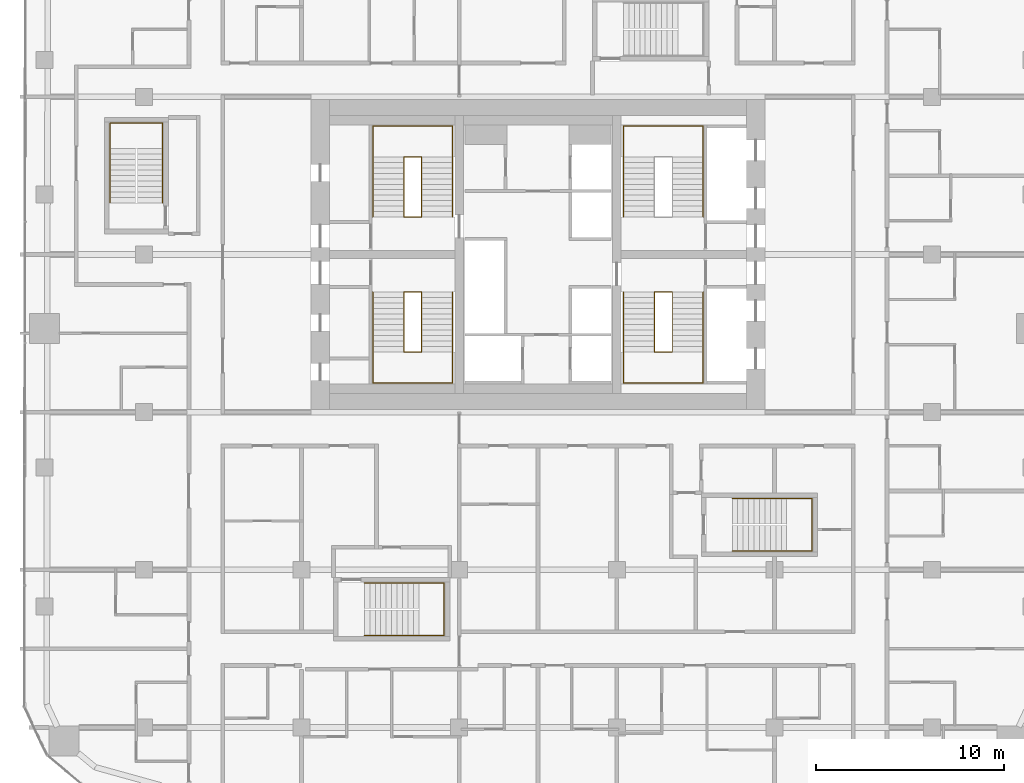
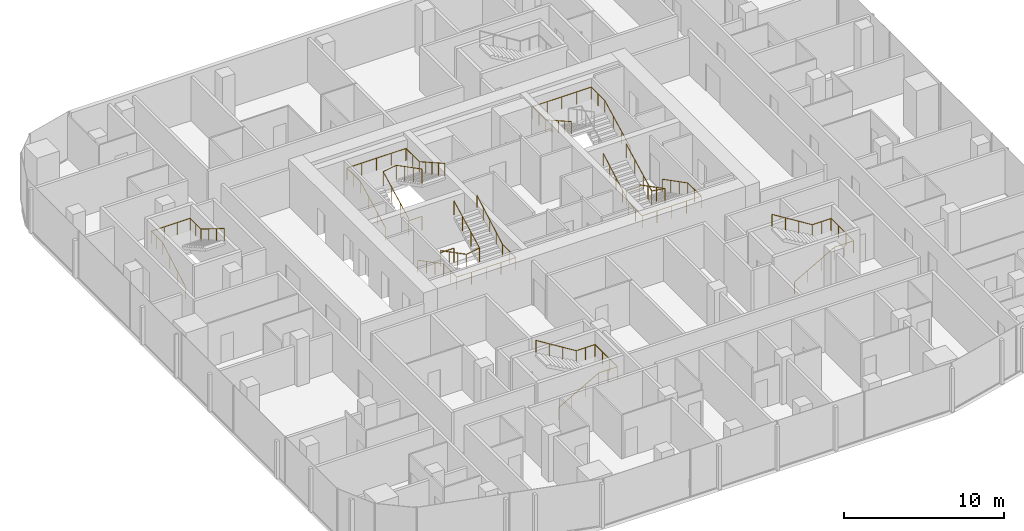
# One storey, part 22 of 23: 10 railings.
"""IFC4 building model written with IfcOpenShell, lengths in metres."""

from ifc_helpers import new_model, si_unit, direction, frame, origin, origin_2d, place, context, subcontext, project, spatial, circle, extrude, material, type_object, element, save


model = new_model("IFC4")

# Units and contexts
model_context = context("Model", 3, precision=1e-05, world=origin(), true_north=direction((0.0, 1.0)))
body_context = subcontext(model_context, "Body", "Model", "MODEL_VIEW")
ifc_project = project(units=[si_unit("LENGTHUNIT", "METRE"), si_unit("AREAUNIT", "SQUARE_METRE"), si_unit("VOLUMEUNIT", "CUBIC_METRE"), si_unit("PLANEANGLEUNIT", "RADIAN"), si_unit("MASSUNIT", "GRAM", prefix="KILO")], contexts=[model_context])

# Site, building, storey
site_placement = place(None, origin())
site = spatial("IfcSite", under=ifc_project, at=site_placement, CompositionType="ELEMENT")
building_placement = place(site_placement, origin())
building = spatial("IfcBuilding", under=site, at=building_placement, Name="Marenta Gate Hotel Tower", CompositionType="ELEMENT")
storey_placement = place(building_placement, frame((0.0, 0.0, 126.5)))
storey = spatial("IfcBuildingStorey", under=building, at=storey_placement, Name="L28", CompositionType="ELEMENT", Elevation=126.5)

# Railings
ifc_material_1 = material(Name="Stainless steel", Category="steel")
railing_type_1 = type_object("IfcRailingType", Name="Core stair handrail 950", PredefinedType="HANDRAIL", material=ifc_material_1)
railing_1_placement = place(storey_placement, frame((-8.800048828125, 6.39990234375, 0.14990234375)))
element("IfcRailing", 1, at=railing_1_placement, inside=storey, type_object=railing_type_1, Name="HR-950 L28-KR-ST1-1", PredefinedType="HANDRAIL", context=body_context, shape_type="SweptSolid", body=[
    extrude(circle(Radius=0.02392578125, at=origin_2d()), frame((0.0, 0.0, 0.92578125), z_axis=(0.0, -0.888197555067, 0.459461753765), x_axis=(1.0, 0.0, 0.0)), (0.0, 0.0, 1.0), 3.591552734375),
    extrude(circle(Radius=0.02392578125, at=origin_2d()), frame((0.0, -3.18994140625, 2.576171875), z_axis=(0.0, -1.0, 0.0), x_axis=(1.0, 0.0, 0.0)), (0.0, 0.0, 1.0), 1.659912109375),
    extrude(circle(Radius=0.02392578125, at=origin_2d()), frame((0.0, -4.849853515625, 2.576171875), z_axis=(1.0, 0.0, 0.0), x_axis=(0.0, 1.0, 0.0)), (0.0, 0.0, 1.0), 4.25),
    extrude(circle(Radius=0.02392578125, at=origin_2d()), frame((4.25, -4.849853515625, 2.576171875), z_axis=(0.0, 1.0, 0.0), x_axis=(-1.0, 0.0, 0.0)), (0.0, 0.0, 1.0), 1.659912109375),
    extrude(circle(Radius=0.02392578125, at=origin_2d()), frame((4.25, -3.18994140625, 2.576171875), z_axis=(0.0, 0.87090897868, 0.491444351738), x_axis=(-1.0, 0.0, 0.0)), (0.0, 0.0, 1.0), 3.662841796875),
    extrude(circle(Radius=0.02099609375, at=origin_2d()), origin(), (0.0, 0.0, 1.0), 0.90185546875),
    extrude(circle(Radius=0.02099609375, at=origin_2d()), frame((0.0, -1.063232421875, 0.550048828125)), (0.0, 0.0, 1.0), 0.90185546875),
    extrude(circle(Radius=0.02099609375, at=origin_2d()), frame((0.0, -2.126708984375, 1.10009765625)), (0.0, 0.0, 1.0), 0.90185546875),
    extrude(circle(Radius=0.02099609375, at=origin_2d()), frame((0.0, -3.18994140625, 1.650146484375)), (0.0, 0.0, 1.0), 0.90185546875),
    extrude(circle(Radius=0.02099609375, at=origin_2d()), frame((0.0, -4.02001953125, 1.650146484375)), (0.0, 0.0, 1.0), 0.90185546875),
    extrude(circle(Radius=0.02099609375, at=origin_2d()), frame((0.0, -4.849853515625, 1.650146484375)), (0.0, 0.0, 1.0), 0.90185546875),
    extrude(circle(Radius=0.02099609375, at=origin_2d()), frame((1.0625, -4.849853515625, 1.650146484375)), (0.0, 0.0, 1.0), 0.90185546875),
    extrude(circle(Radius=0.02099609375, at=origin_2d()), frame((2.125, -4.849853515625, 1.650146484375)), (0.0, 0.0, 1.0), 0.90185546875),
    extrude(circle(Radius=0.02099609375, at=origin_2d()), frame((3.1875, -4.849853515625, 1.650146484375)), (0.0, 0.0, 1.0), 0.90185546875),
    extrude(circle(Radius=0.02099609375, at=origin_2d()), frame((4.25, -4.849853515625, 1.650146484375)), (0.0, 0.0, 1.0), 0.90185546875),
    extrude(circle(Radius=0.02099609375, at=origin_2d()), frame((4.25, -4.02001953125, 1.650146484375)), (0.0, 0.0, 1.0), 0.90185546875),
    extrude(circle(Radius=0.02099609375, at=origin_2d()), frame((4.25, -3.18994140625, 1.650146484375)), (0.0, 0.0, 1.0), 0.90185546875),
    extrude(circle(Radius=0.02099609375, at=origin_2d()), frame((4.25, -2.392578125, 2.10009765625)), (0.0, 0.0, 1.0), 0.90185546875),
    extrude(circle(Radius=0.02099609375, at=origin_2d()), frame((4.25, -1.594970703125, 2.55029296875)), (0.0, 0.0, 1.0), 0.90185546875),
    extrude(circle(Radius=0.02099609375, at=origin_2d()), frame((4.25, -0.79736328125, 3.000244140625)), (0.0, 0.0, 1.0), 0.90185546875),
    extrude(circle(Radius=0.02099609375, at=origin_2d()), frame((4.25, 0.0, 3.4501953125)), (0.0, 0.0, 1.0), 0.90185546875),
])
railing_2_placement = place(storey_placement, frame((-8.800048828125, 10.39990234375, 0.14990234375)))
element("IfcRailing", 2, at=railing_2_placement, inside=storey, type_object=railing_type_1, Name="HR-950 L28-KR-ST2-1", PredefinedType="HANDRAIL", context=body_context, shape_type="SweptSolid", body=[
    extrude(circle(Radius=0.02392578125, at=origin_2d()), frame((0.0, 0.0, 0.92578125), z_axis=(0.0, 0.888211904222, 0.459434013977), x_axis=(-1.0, 0.0, 0.0)), (0.0, 0.0, 1.0), 3.591796875),
    extrude(circle(Radius=0.02392578125, at=origin_2d()), frame((0.0, 3.190185546875, 2.576171875), z_axis=(0.0, 1.0, 0.0), x_axis=(-1.0, 0.0, 0.0)), (0.0, 0.0, 1.0), 1.659912109375),
    extrude(circle(Radius=0.02392578125, at=origin_2d()), frame((0.0, 4.85009765625, 2.576171875), z_axis=(1.0, 0.0, 0.0), x_axis=(0.0, 1.0, 0.0)), (0.0, 0.0, 1.0), 4.25),
    extrude(circle(Radius=0.02392578125, at=origin_2d()), frame((4.25, 4.85009765625, 2.576171875), z_axis=(0.0, -1.0, 0.0), x_axis=(1.0, 0.0, 0.0)), (0.0, 0.0, 1.0), 1.659912109375),
    extrude(circle(Radius=0.02392578125, at=origin_2d()), frame((4.25, 3.190185546875, 2.576171875), z_axis=(0.0, -0.870925075533, 0.491415824742), x_axis=(1.0, 0.0, 0.0)), (0.0, 0.0, 1.0), 3.6630859375),
    extrude(circle(Radius=0.02099609375, at=origin_2d()), origin(), (0.0, 0.0, 1.0), 0.90185546875),
    extrude(circle(Radius=0.02099609375, at=origin_2d()), frame((0.0, 1.0634765625, 0.550048828125)), (0.0, 0.0, 1.0), 0.90185546875),
    extrude(circle(Radius=0.02099609375, at=origin_2d()), frame((0.0, 2.126708984375, 1.10009765625)), (0.0, 0.0, 1.0), 0.90185546875),
    extrude(circle(Radius=0.02099609375, at=origin_2d()), frame((0.0, 3.190185546875, 1.650146484375)), (0.0, 0.0, 1.0), 0.90185546875),
    extrude(circle(Radius=0.02099609375, at=origin_2d()), frame((0.0, 4.02001953125, 1.650146484375)), (0.0, 0.0, 1.0), 0.90185546875),
    extrude(circle(Radius=0.02099609375, at=origin_2d()), frame((0.0, 4.85009765625, 1.650146484375)), (0.0, 0.0, 1.0), 0.90185546875),
    extrude(circle(Radius=0.02099609375, at=origin_2d()), frame((1.0625, 4.85009765625, 1.650146484375)), (0.0, 0.0, 1.0), 0.90185546875),
    extrude(circle(Radius=0.02099609375, at=origin_2d()), frame((2.125, 4.85009765625, 1.650146484375)), (0.0, 0.0, 1.0), 0.90185546875),
    extrude(circle(Radius=0.02099609375, at=origin_2d()), frame((3.1875, 4.85009765625, 1.650146484375)), (0.0, 0.0, 1.0), 0.90185546875),
    extrude(circle(Radius=0.02099609375, at=origin_2d()), frame((4.25, 4.85009765625, 1.650146484375)), (0.0, 0.0, 1.0), 0.90185546875),
    extrude(circle(Radius=0.02099609375, at=origin_2d()), frame((4.25, 4.02001953125, 1.650146484375)), (0.0, 0.0, 1.0), 0.90185546875),
    extrude(circle(Radius=0.02099609375, at=origin_2d()), frame((4.25, 3.190185546875, 1.650146484375)), (0.0, 0.0, 1.0), 0.90185546875),
    extrude(circle(Radius=0.02099609375, at=origin_2d()), frame((4.25, 2.392578125, 2.10009765625)), (0.0, 0.0, 1.0), 0.90185546875),
    extrude(circle(Radius=0.02099609375, at=origin_2d()), frame((4.25, 1.59521484375, 2.55029296875)), (0.0, 0.0, 1.0), 0.90185546875),
    extrude(circle(Radius=0.02099609375, at=origin_2d()), frame((4.25, 0.797607421875, 3.000244140625)), (0.0, 0.0, 1.0), 0.90185546875),
    extrude(circle(Radius=0.02099609375, at=origin_2d()), frame((4.25, 0.0, 3.4501953125)), (0.0, 0.0, 1.0), 0.90185546875),
])
railing_3_placement = place(storey_placement, frame((8.800048828125, 6.39990234375, 0.14990234375)))
element("IfcRailing", 3, at=railing_3_placement, inside=storey, type_object=railing_type_1, Name="HR-950 L28-KR-ST3-1", PredefinedType="HANDRAIL", context=body_context, shape_type="SweptSolid", body=[
    extrude(circle(Radius=0.02392578125, at=origin_2d()), frame((0.0, 0.0, 0.92578125), z_axis=(0.0, -0.888197555067, 0.459461753765), x_axis=(1.0, 0.0, 0.0)), (0.0, 0.0, 1.0), 3.591552734375),
    extrude(circle(Radius=0.02392578125, at=origin_2d()), frame((0.0, -3.18994140625, 2.576171875), z_axis=(0.0, -1.0, 0.0), x_axis=(1.0, 0.0, 0.0)), (0.0, 0.0, 1.0), 1.659912109375),
    extrude(circle(Radius=0.02392578125, at=origin_2d()), frame((0.0, -4.849853515625, 2.576171875), z_axis=(-1.0, 0.0, 0.0), x_axis=(0.0, -1.0, 0.0)), (0.0, 0.0, 1.0), 4.25),
    extrude(circle(Radius=0.02392578125, at=origin_2d()), frame((-4.25, -4.849853515625, 2.576171875), z_axis=(0.0, 1.0, 0.0), x_axis=(-1.0, 0.0, 0.0)), (0.0, 0.0, 1.0), 1.659912109375),
    extrude(circle(Radius=0.02392578125, at=origin_2d()), frame((-4.25, -3.18994140625, 2.576171875), z_axis=(0.0, 0.87090897868, 0.491444351738), x_axis=(-1.0, 0.0, 0.0)), (0.0, 0.0, 1.0), 3.662841796875),
    extrude(circle(Radius=0.02099609375, at=origin_2d()), origin(), (0.0, 0.0, 1.0), 0.90185546875),
    extrude(circle(Radius=0.02099609375, at=origin_2d()), frame((0.0, -1.063232421875, 0.550048828125)), (0.0, 0.0, 1.0), 0.90185546875),
    extrude(circle(Radius=0.02099609375, at=origin_2d()), frame((0.0, -2.126708984375, 1.10009765625)), (0.0, 0.0, 1.0), 0.90185546875),
    extrude(circle(Radius=0.02099609375, at=origin_2d()), frame((0.0, -3.18994140625, 1.650146484375)), (0.0, 0.0, 1.0), 0.90185546875),
    extrude(circle(Radius=0.02099609375, at=origin_2d()), frame((0.0, -4.02001953125, 1.650146484375)), (0.0, 0.0, 1.0), 0.90185546875),
    extrude(circle(Radius=0.02099609375, at=origin_2d()), frame((0.0, -4.849853515625, 1.650146484375)), (0.0, 0.0, 1.0), 0.90185546875),
    extrude(circle(Radius=0.02099609375, at=origin_2d()), frame((-1.0625, -4.849853515625, 1.650146484375)), (0.0, 0.0, 1.0), 0.90185546875),
    extrude(circle(Radius=0.02099609375, at=origin_2d()), frame((-2.125, -4.849853515625, 1.650146484375)), (0.0, 0.0, 1.0), 0.90185546875),
    extrude(circle(Radius=0.02099609375, at=origin_2d()), frame((-3.1875, -4.849853515625, 1.650146484375)), (0.0, 0.0, 1.0), 0.90185546875),
    extrude(circle(Radius=0.02099609375, at=origin_2d()), frame((-4.25, -4.849853515625, 1.650146484375)), (0.0, 0.0, 1.0), 0.90185546875),
    extrude(circle(Radius=0.02099609375, at=origin_2d()), frame((-4.25, -4.02001953125, 1.650146484375)), (0.0, 0.0, 1.0), 0.90185546875),
    extrude(circle(Radius=0.02099609375, at=origin_2d()), frame((-4.25, -3.18994140625, 1.650146484375)), (0.0, 0.0, 1.0), 0.90185546875),
    extrude(circle(Radius=0.02099609375, at=origin_2d()), frame((-4.25, -2.392578125, 2.10009765625)), (0.0, 0.0, 1.0), 0.90185546875),
    extrude(circle(Radius=0.02099609375, at=origin_2d()), frame((-4.25, -1.594970703125, 2.55029296875)), (0.0, 0.0, 1.0), 0.90185546875),
    extrude(circle(Radius=0.02099609375, at=origin_2d()), frame((-4.25, -0.79736328125, 3.000244140625)), (0.0, 0.0, 1.0), 0.90185546875),
    extrude(circle(Radius=0.02099609375, at=origin_2d()), frame((-4.25, 0.0, 3.4501953125)), (0.0, 0.0, 1.0), 0.90185546875),
])
railing_4_placement = place(storey_placement, frame((8.800048828125, 10.39990234375, 0.14990234375)))
element("IfcRailing", 4, at=railing_4_placement, inside=storey, type_object=railing_type_1, Name="HR-950 L28-KR-ST4-1", PredefinedType="HANDRAIL", context=body_context, shape_type="SweptSolid", body=[
    extrude(circle(Radius=0.02392578125, at=origin_2d()), frame((0.0, 0.0, 0.92578125), z_axis=(0.0, 0.888211904222, 0.459434013977), x_axis=(-1.0, 0.0, 0.0)), (0.0, 0.0, 1.0), 3.591796875),
    extrude(circle(Radius=0.02392578125, at=origin_2d()), frame((0.0, 3.190185546875, 2.576171875), z_axis=(0.0, 1.0, 0.0), x_axis=(-1.0, 0.0, 0.0)), (0.0, 0.0, 1.0), 1.659912109375),
    extrude(circle(Radius=0.02392578125, at=origin_2d()), frame((0.0, 4.85009765625, 2.576171875), z_axis=(-1.0, 0.0, 0.0), x_axis=(0.0, -1.0, 0.0)), (0.0, 0.0, 1.0), 4.25),
    extrude(circle(Radius=0.02392578125, at=origin_2d()), frame((-4.25, 4.85009765625, 2.576171875), z_axis=(0.0, -1.0, 0.0), x_axis=(1.0, 0.0, 0.0)), (0.0, 0.0, 1.0), 1.659912109375),
    extrude(circle(Radius=0.02392578125, at=origin_2d()), frame((-4.25, 3.190185546875, 2.576171875), z_axis=(0.0, -0.870925075533, 0.491415824742), x_axis=(1.0, 0.0, 0.0)), (0.0, 0.0, 1.0), 3.6630859375),
    extrude(circle(Radius=0.02099609375, at=origin_2d()), origin(), (0.0, 0.0, 1.0), 0.90185546875),
    extrude(circle(Radius=0.02099609375, at=origin_2d()), frame((0.0, 1.0634765625, 0.550048828125)), (0.0, 0.0, 1.0), 0.90185546875),
    extrude(circle(Radius=0.02099609375, at=origin_2d()), frame((0.0, 2.126708984375, 1.10009765625)), (0.0, 0.0, 1.0), 0.90185546875),
    extrude(circle(Radius=0.02099609375, at=origin_2d()), frame((0.0, 3.190185546875, 1.650146484375)), (0.0, 0.0, 1.0), 0.90185546875),
    extrude(circle(Radius=0.02099609375, at=origin_2d()), frame((0.0, 4.02001953125, 1.650146484375)), (0.0, 0.0, 1.0), 0.90185546875),
    extrude(circle(Radius=0.02099609375, at=origin_2d()), frame((0.0, 4.85009765625, 1.650146484375)), (0.0, 0.0, 1.0), 0.90185546875),
    extrude(circle(Radius=0.02099609375, at=origin_2d()), frame((-1.0625, 4.85009765625, 1.650146484375)), (0.0, 0.0, 1.0), 0.90185546875),
    extrude(circle(Radius=0.02099609375, at=origin_2d()), frame((-2.125, 4.85009765625, 1.650146484375)), (0.0, 0.0, 1.0), 0.90185546875),
    extrude(circle(Radius=0.02099609375, at=origin_2d()), frame((-3.1875, 4.85009765625, 1.650146484375)), (0.0, 0.0, 1.0), 0.90185546875),
    extrude(circle(Radius=0.02099609375, at=origin_2d()), frame((-4.25, 4.85009765625, 1.650146484375)), (0.0, 0.0, 1.0), 0.90185546875),
    extrude(circle(Radius=0.02099609375, at=origin_2d()), frame((-4.25, 4.02001953125, 1.650146484375)), (0.0, 0.0, 1.0), 0.90185546875),
    extrude(circle(Radius=0.02099609375, at=origin_2d()), frame((-4.25, 3.190185546875, 1.650146484375)), (0.0, 0.0, 1.0), 0.90185546875),
    extrude(circle(Radius=0.02099609375, at=origin_2d()), frame((-4.25, 2.392578125, 2.10009765625)), (0.0, 0.0, 1.0), 0.90185546875),
    extrude(circle(Radius=0.02099609375, at=origin_2d()), frame((-4.25, 1.59521484375, 2.55029296875)), (0.0, 0.0, 1.0), 0.90185546875),
    extrude(circle(Radius=0.02099609375, at=origin_2d()), frame((-4.25, 0.797607421875, 3.000244140625)), (0.0, 0.0, 1.0), 0.90185546875),
    extrude(circle(Radius=0.02099609375, at=origin_2d()), frame((-4.25, 0.0, 3.4501953125)), (0.0, 0.0, 1.0), 0.90185546875),
])
railing_5_placement = place(storey_placement, frame((-22.800048828125, 11.14990234375, 0.16357421875)))
element("IfcRailing", 5, at=railing_5_placement, inside=storey, type_object=railing_type_1, Name="HR-950 L28-RS-Z1-3-KR-1", PredefinedType="HANDRAIL", context=body_context, shape_type="SweptSolid", body=[
    extrude(circle(Radius=0.02392578125, at=origin_2d()), frame((0.0, 0.0, 0.92578125), z_axis=(0.0, 0.870914908162, 0.491433843708), x_axis=(-1.0, 0.0, 0.0)), (0.0, 0.0, 1.0), 3.330078125),
    extrude(circle(Radius=0.02392578125, at=origin_2d()), frame((0.0, 2.900146484375, 2.5625), z_axis=(0.0, 1.0, 0.0), x_axis=(-1.0, 0.0, 0.0)), (0.0, 0.0, 1.0), 1.349853515625),
    extrude(circle(Radius=0.02392578125, at=origin_2d()), frame((0.0, 4.25, 2.5625), z_axis=(1.0, 0.0, 0.0), x_axis=(0.0, 1.0, 0.0)), (0.0, 0.0, 1.0), 2.800048828125),
    extrude(circle(Radius=0.02392578125, at=origin_2d()), frame((2.800048828125, 4.25, 2.5625), z_axis=(0.0, -1.0, 0.0), x_axis=(1.0, 0.0, 0.0)), (0.0, 0.0, 1.0), 1.349853515625),
    extrude(circle(Radius=0.02392578125, at=origin_2d()), frame((2.800048828125, 2.900146484375, 2.5625), z_axis=(0.0, -0.849645691689, 0.527353959494), x_axis=(1.0, 0.0, 0.0)), (0.0, 0.0, 1.0), 3.413330078125),
    extrude(circle(Radius=0.02099609375, at=origin_2d()), origin(), (0.0, 0.0, 1.0), 0.90185546875),
    extrude(circle(Radius=0.02099609375, at=origin_2d()), frame((0.0, 0.966796875, 0.54541015625)), (0.0, 0.0, 1.0), 0.90185546875),
    extrude(circle(Radius=0.02099609375, at=origin_2d()), frame((0.0, 1.933349609375, 1.091064453125)), (0.0, 0.0, 1.0), 0.90185546875),
    extrude(circle(Radius=0.02099609375, at=origin_2d()), frame((0.0, 2.900146484375, 1.636474609375)), (0.0, 0.0, 1.0), 0.90185546875),
    extrude(circle(Radius=0.02099609375, at=origin_2d()), frame((0.0, 3.5751953125, 1.636474609375)), (0.0, 0.0, 1.0), 0.90185546875),
    extrude(circle(Radius=0.02099609375, at=origin_2d()), frame((0.0, 4.25, 1.636474609375)), (0.0, 0.0, 1.0), 0.90185546875),
    extrude(circle(Radius=0.02099609375, at=origin_2d()), frame((0.933349609375, 4.25, 1.636474609375)), (0.0, 0.0, 1.0), 0.90185546875),
    extrude(circle(Radius=0.02099609375, at=origin_2d()), frame((1.86669921875, 4.25, 1.636474609375)), (0.0, 0.0, 1.0), 0.90185546875),
    extrude(circle(Radius=0.02099609375, at=origin_2d()), frame((2.800048828125, 4.25, 1.636474609375)), (0.0, 0.0, 1.0), 0.90185546875),
    extrude(circle(Radius=0.02099609375, at=origin_2d()), frame((2.800048828125, 3.5751953125, 1.636474609375)), (0.0, 0.0, 1.0), 0.90185546875),
    extrude(circle(Radius=0.02099609375, at=origin_2d()), frame((2.800048828125, 2.900146484375, 1.636474609375)), (0.0, 0.0, 1.0), 0.90185546875),
    extrude(circle(Radius=0.02099609375, at=origin_2d()), frame((2.800048828125, 1.933349609375, 2.236572265625)), (0.0, 0.0, 1.0), 0.90185546875),
    extrude(circle(Radius=0.02099609375, at=origin_2d()), frame((2.800048828125, 0.966796875, 2.83642578125)), (0.0, 0.0, 1.0), 0.90185546875),
    extrude(circle(Radius=0.02099609375, at=origin_2d()), frame((2.800048828125, 0.0, 3.4365234375)), (0.0, 0.0, 1.0), 0.90185546875),
])
railing_6_placement = place(storey_placement, frame((-9.25, -11.89990234375, 0.16357421875)))
element("IfcRailing", 6, at=railing_6_placement, inside=storey, type_object=railing_type_1, Name="HR-950 L28-RS-Z2-1-KR-1", PredefinedType="HANDRAIL", context=body_context, shape_type="SweptSolid", body=[
    extrude(circle(Radius=0.02392578125, at=origin_2d()), frame((0.0, 0.0, 0.92578125), z_axis=(0.870897200241, 0.0, 0.491465224214), x_axis=(0.0, 1.0, 0.0)), (0.0, 0.0, 1.0), 3.329833984375),
    extrude(circle(Radius=0.02392578125, at=origin_2d()), frame((2.89990234375, 0.0, 2.5625), z_axis=(1.0, 0.0, 0.0), x_axis=(0.0, 1.0, 0.0)), (0.0, 0.0, 1.0), 1.35009765625),
    extrude(circle(Radius=0.02392578125, at=origin_2d()), frame((4.25, 0.0, 2.5625), z_axis=(0.0, 1.0, 0.0), x_axis=(-1.0, 0.0, 0.0)), (0.0, 0.0, 1.0), 2.7998046875),
    extrude(circle(Radius=0.02392578125, at=origin_2d()), frame((4.25, 2.7998046875, 2.5625), z_axis=(-1.0, 0.0, 0.0), x_axis=(0.0, -1.0, 0.0)), (0.0, 0.0, 1.0), 1.35009765625),
    extrude(circle(Radius=0.02392578125, at=origin_2d()), frame((2.89990234375, 2.7998046875, 2.5625), z_axis=(-0.849625798611, 0.0, 0.527386008853), x_axis=(0.0, -1.0, 0.0)), (0.0, 0.0, 1.0), 3.4130859375),
    extrude(circle(Radius=0.02099609375, at=origin_2d()), origin(), (0.0, 0.0, 1.0), 0.90185546875),
    extrude(circle(Radius=0.02099609375, at=origin_2d()), frame((0.966552734375, 0.0, 0.54541015625)), (0.0, 0.0, 1.0), 0.90185546875),
    extrude(circle(Radius=0.02099609375, at=origin_2d()), frame((1.933349609375, 0.0, 1.091064453125)), (0.0, 0.0, 1.0), 0.90185546875),
    extrude(circle(Radius=0.02099609375, at=origin_2d()), frame((2.89990234375, 0.0, 1.636474609375)), (0.0, 0.0, 1.0), 0.90185546875),
    extrude(circle(Radius=0.02099609375, at=origin_2d()), frame((3.574951171875, 0.0, 1.636474609375)), (0.0, 0.0, 1.0), 0.90185546875),
    extrude(circle(Radius=0.02099609375, at=origin_2d()), frame((4.25, 0.0, 1.636474609375)), (0.0, 0.0, 1.0), 0.90185546875),
    extrude(circle(Radius=0.02099609375, at=origin_2d()), frame((4.25, 0.933349609375, 1.636474609375)), (0.0, 0.0, 1.0), 0.90185546875),
    extrude(circle(Radius=0.02099609375, at=origin_2d()), frame((4.25, 1.866455078125, 1.636474609375)), (0.0, 0.0, 1.0), 0.90185546875),
    extrude(circle(Radius=0.02099609375, at=origin_2d()), frame((4.25, 2.7998046875, 1.636474609375)), (0.0, 0.0, 1.0), 0.90185546875),
    extrude(circle(Radius=0.02099609375, at=origin_2d()), frame((3.574951171875, 2.7998046875, 1.636474609375)), (0.0, 0.0, 1.0), 0.90185546875),
    extrude(circle(Radius=0.02099609375, at=origin_2d()), frame((2.89990234375, 2.7998046875, 1.636474609375)), (0.0, 0.0, 1.0), 0.90185546875),
    extrude(circle(Radius=0.02099609375, at=origin_2d()), frame((1.933349609375, 2.7998046875, 2.236572265625)), (0.0, 0.0, 1.0), 0.90185546875),
    extrude(circle(Radius=0.02099609375, at=origin_2d()), frame((0.966552734375, 2.7998046875, 2.83642578125)), (0.0, 0.0, 1.0), 0.90185546875),
    extrude(circle(Radius=0.02099609375, at=origin_2d()), frame((0.0, 2.7998046875, 3.4365234375)), (0.0, 0.0, 1.0), 0.90185546875),
])
railing_7_placement = place(storey_placement, frame((10.35009765625, -7.39990234375, 0.16357421875)))
element("IfcRailing", 7, at=railing_7_placement, inside=storey, type_object=railing_type_1, Name="HR-950 L28-RS-Z2-2-KR-1", PredefinedType="HANDRAIL", context=body_context, shape_type="SweptSolid", body=[
    extrude(circle(Radius=0.02392578125, at=origin_2d()), frame((0.0, 0.0, 0.92578125), z_axis=(0.870897200241, 0.0, 0.491465224214), x_axis=(0.0, 1.0, 0.0)), (0.0, 0.0, 1.0), 3.329833984375),
    extrude(circle(Radius=0.02392578125, at=origin_2d()), frame((2.89990234375, 0.0, 2.5625), z_axis=(1.0, 0.0, 0.0), x_axis=(0.0, 1.0, 0.0)), (0.0, 0.0, 1.0), 1.35009765625),
    extrude(circle(Radius=0.02392578125, at=origin_2d()), frame((4.25, 0.0, 2.5625), z_axis=(0.0, 1.0, 0.0), x_axis=(-1.0, 0.0, 0.0)), (0.0, 0.0, 1.0), 2.7998046875),
    extrude(circle(Radius=0.02392578125, at=origin_2d()), frame((4.25, 2.7998046875, 2.5625), z_axis=(-1.0, 0.0, 0.0), x_axis=(0.0, -1.0, 0.0)), (0.0, 0.0, 1.0), 1.35009765625),
    extrude(circle(Radius=0.02392578125, at=origin_2d()), frame((2.89990234375, 2.7998046875, 2.5625), z_axis=(-0.849625798611, 0.0, 0.527386008853), x_axis=(0.0, -1.0, 0.0)), (0.0, 0.0, 1.0), 3.4130859375),
    extrude(circle(Radius=0.02099609375, at=origin_2d()), origin(), (0.0, 0.0, 1.0), 0.90185546875),
    extrude(circle(Radius=0.02099609375, at=origin_2d()), frame((0.966552734375, 0.0, 0.54541015625)), (0.0, 0.0, 1.0), 0.90185546875),
    extrude(circle(Radius=0.02099609375, at=origin_2d()), frame((1.933349609375, 0.0, 1.091064453125)), (0.0, 0.0, 1.0), 0.90185546875),
    extrude(circle(Radius=0.02099609375, at=origin_2d()), frame((2.89990234375, 0.0, 1.636474609375)), (0.0, 0.0, 1.0), 0.90185546875),
    extrude(circle(Radius=0.02099609375, at=origin_2d()), frame((3.574951171875, 0.0, 1.636474609375)), (0.0, 0.0, 1.0), 0.90185546875),
    extrude(circle(Radius=0.02099609375, at=origin_2d()), frame((4.25, 0.0, 1.636474609375)), (0.0, 0.0, 1.0), 0.90185546875),
    extrude(circle(Radius=0.02099609375, at=origin_2d()), frame((4.25, 0.933349609375, 1.636474609375)), (0.0, 0.0, 1.0), 0.90185546875),
    extrude(circle(Radius=0.02099609375, at=origin_2d()), frame((4.25, 1.866455078125, 1.636474609375)), (0.0, 0.0, 1.0), 0.90185546875),
    extrude(circle(Radius=0.02099609375, at=origin_2d()), frame((4.25, 2.7998046875, 1.636474609375)), (0.0, 0.0, 1.0), 0.90185546875),
    extrude(circle(Radius=0.02099609375, at=origin_2d()), frame((3.574951171875, 2.7998046875, 1.636474609375)), (0.0, 0.0, 1.0), 0.90185546875),
    extrude(circle(Radius=0.02099609375, at=origin_2d()), frame((2.89990234375, 2.7998046875, 1.636474609375)), (0.0, 0.0, 1.0), 0.90185546875),
    extrude(circle(Radius=0.02099609375, at=origin_2d()), frame((1.933349609375, 2.7998046875, 2.236572265625)), (0.0, 0.0, 1.0), 0.90185546875),
    extrude(circle(Radius=0.02099609375, at=origin_2d()), frame((0.966552734375, 2.7998046875, 2.83642578125)), (0.0, 0.0, 1.0), 0.90185546875),
    extrude(circle(Radius=0.02099609375, at=origin_2d()), frame((0.0, 2.7998046875, 3.4365234375)), (0.0, 0.0, 1.0), 0.90185546875),
])
ifc_material_2 = material(Name="Stainless steel", Category="steel")
railing_type_2 = type_object("IfcRailingType", Name="Core stair well guard 1100", PredefinedType="GUARDRAIL", material=ifc_material_2)
railing_8_placement = place(storey_placement, frame((-6.199951171875, 6.39990234375, 0.0)))
element("IfcRailing", 8, at=railing_8_placement, inside=storey, type_object=railing_type_2, Name="GR-1100 L28-KR-ST1-2", PredefinedType="GUARDRAIL", context=body_context, shape_type="SweptSolid", body=[
    extrude(circle(Radius=0.02392578125, at=origin_2d()), frame((0.0, 0.0, 1.076171875), z_axis=(-1.0, 0.0, 0.0), x_axis=(0.0, -1.0, 0.0)), (0.0, 0.0, 1.0), 0.949951171875),
    extrude(circle(Radius=0.02392578125, at=origin_2d()), frame((-0.949951171875, 0.0, 1.076171875), z_axis=(0.0, 0.0, 1.0), x_axis=(1.0, 0.0, 0.0)), (0.0, 0.0, 1.0), 0.14990234375),
    extrude(circle(Radius=0.02392578125, at=origin_2d()), frame((-0.949951171875, 0.0, 1.22607421875), z_axis=(0.0, -0.888197555067, 0.459461753765), x_axis=(1.0, 0.0, 0.0)), (0.0, 0.0, 1.0), 3.591552734375),
    extrude(circle(Radius=0.02392578125, at=origin_2d()), frame((-0.949951171875, -3.18994140625, 2.8759765625), z_axis=(0.987777369502, 0.0, 0.15587131968), x_axis=(0.0, 1.0, 0.0)), (0.0, 0.0, 1.0), 0.961669921875),
    extrude(circle(Radius=0.02392578125, at=origin_2d()), frame((0.0, -3.18994140625, 3.02587890625), z_axis=(0.0, 0.888197555067, 0.459461753765), x_axis=(-1.0, 0.0, 0.0)), (0.0, 0.0, 1.0), 3.591552734375),
    extrude(circle(Radius=0.02099609375, at=origin_2d()), origin(), (0.0, 0.0, 1.0), 1.052001953125),
    extrude(circle(Radius=0.02099609375, at=origin_2d()), frame((-0.949951171875, 0.0, 0.0)), (0.0, 0.0, 1.0), 1.052001953125),
    extrude(circle(Radius=0.02099609375, at=origin_2d()), frame((-0.949951171875, 0.0, 0.14990234375)), (0.0, 0.0, 1.0), 1.052001953125),
    extrude(circle(Radius=0.02099609375, at=origin_2d()), frame((-0.949951171875, -1.063232421875, 0.699951171875)), (0.0, 0.0, 1.0), 1.052001953125),
    extrude(circle(Radius=0.02099609375, at=origin_2d()), frame((-0.949951171875, -2.126708984375, 1.25)), (0.0, 0.0, 1.0), 1.052001953125),
    extrude(circle(Radius=0.02099609375, at=origin_2d()), frame((-0.949951171875, -3.18994140625, 1.800048828125)), (0.0, 0.0, 1.0), 1.052001953125),
    extrude(circle(Radius=0.02099609375, at=origin_2d()), frame((0.0, -3.18994140625, 1.949951171875)), (0.0, 0.0, 1.0), 1.052001953125),
    extrude(circle(Radius=0.02099609375, at=origin_2d()), frame((0.0, -2.126708984375, 2.5)), (0.0, 0.0, 1.0), 1.052001953125),
    extrude(circle(Radius=0.02099609375, at=origin_2d()), frame((0.0, -1.063232421875, 3.050048828125)), (0.0, 0.0, 1.0), 1.052001953125),
    extrude(circle(Radius=0.02099609375, at=origin_2d()), frame((0.0, 0.0, 3.60009765625)), (0.0, 0.0, 1.0), 1.052001953125),
])
railing_9_placement = place(storey_placement, frame((-6.199951171875, 10.39990234375, 0.0)))
element("IfcRailing", 9, at=railing_9_placement, inside=storey, type_object=railing_type_2, Name="GR-1100 L28-KR-ST2-2", PredefinedType="GUARDRAIL", context=body_context, shape_type="SweptSolid", body=[
    extrude(circle(Radius=0.02392578125, at=origin_2d()), frame((0.0, 0.0, 1.076171875), z_axis=(-1.0, 0.0, 0.0), x_axis=(0.0, -1.0, 0.0)), (0.0, 0.0, 1.0), 0.949951171875),
    extrude(circle(Radius=0.02392578125, at=origin_2d()), frame((-0.949951171875, 0.0, 1.076171875), z_axis=(0.0, 0.0, 1.0), x_axis=(1.0, 0.0, 0.0)), (0.0, 0.0, 1.0), 0.14990234375),
    extrude(circle(Radius=0.02392578125, at=origin_2d()), frame((-0.949951171875, 0.0, 1.22607421875), z_axis=(0.0, 0.888211904222, 0.459434013977), x_axis=(-1.0, 0.0, 0.0)), (0.0, 0.0, 1.0), 3.591796875),
    extrude(circle(Radius=0.02392578125, at=origin_2d()), frame((-0.949951171875, 3.190185546875, 2.8759765625), z_axis=(0.987777369502, 0.0, 0.15587131968), x_axis=(0.0, 1.0, 0.0)), (0.0, 0.0, 1.0), 0.961669921875),
    extrude(circle(Radius=0.02392578125, at=origin_2d()), frame((0.0, 3.190185546875, 3.02587890625), z_axis=(0.0, -0.888211904222, 0.459434013977), x_axis=(1.0, 0.0, 0.0)), (0.0, 0.0, 1.0), 3.591796875),
    extrude(circle(Radius=0.02099609375, at=origin_2d()), origin(), (0.0, 0.0, 1.0), 1.052001953125),
    extrude(circle(Radius=0.02099609375, at=origin_2d()), frame((-0.949951171875, 0.0, 0.0)), (0.0, 0.0, 1.0), 1.052001953125),
    extrude(circle(Radius=0.02099609375, at=origin_2d()), frame((-0.949951171875, 0.0, 0.14990234375)), (0.0, 0.0, 1.0), 1.052001953125),
    extrude(circle(Radius=0.02099609375, at=origin_2d()), frame((-0.949951171875, 1.0634765625, 0.699951171875)), (0.0, 0.0, 1.0), 1.052001953125),
    extrude(circle(Radius=0.02099609375, at=origin_2d()), frame((-0.949951171875, 2.126708984375, 1.25)), (0.0, 0.0, 1.0), 1.052001953125),
    extrude(circle(Radius=0.02099609375, at=origin_2d()), frame((-0.949951171875, 3.190185546875, 1.800048828125)), (0.0, 0.0, 1.0), 1.052001953125),
    extrude(circle(Radius=0.02099609375, at=origin_2d()), frame((0.0, 3.190185546875, 1.949951171875)), (0.0, 0.0, 1.0), 1.052001953125),
    extrude(circle(Radius=0.02099609375, at=origin_2d()), frame((0.0, 2.126708984375, 2.5)), (0.0, 0.0, 1.0), 1.052001953125),
    extrude(circle(Radius=0.02099609375, at=origin_2d()), frame((0.0, 1.0634765625, 3.050048828125)), (0.0, 0.0, 1.0), 1.052001953125),
    extrude(circle(Radius=0.02099609375, at=origin_2d()), frame((0.0, 0.0, 3.60009765625)), (0.0, 0.0, 1.0), 1.052001953125),
])
railing_10_placement = place(storey_placement, frame((6.199951171875, 6.39990234375, 0.0)))
element("IfcRailing", 10, at=railing_10_placement, inside=storey, type_object=railing_type_2, Name="GR-1100 L28-KR-ST3-2", PredefinedType="GUARDRAIL", context=body_context, shape_type="SweptSolid", body=[
    extrude(circle(Radius=0.02392578125, at=origin_2d()), frame((0.0, 0.0, 1.076171875), z_axis=(1.0, 0.0, 0.0), x_axis=(0.0, 1.0, 0.0)), (0.0, 0.0, 1.0), 0.949951171875),
    extrude(circle(Radius=0.02392578125, at=origin_2d()), frame((0.949951171875, 0.0, 1.076171875), z_axis=(0.0, 0.0, 1.0), x_axis=(1.0, 0.0, 0.0)), (0.0, 0.0, 1.0), 0.14990234375),
    extrude(circle(Radius=0.02392578125, at=origin_2d()), frame((0.949951171875, 0.0, 1.22607421875), z_axis=(0.0, -0.888197555067, 0.459461753765), x_axis=(1.0, 0.0, 0.0)), (0.0, 0.0, 1.0), 3.591552734375),
    extrude(circle(Radius=0.02392578125, at=origin_2d()), frame((0.949951171875, -3.18994140625, 2.8759765625), z_axis=(-0.987777369502, 0.0, 0.15587131968), x_axis=(0.0, -1.0, 0.0)), (0.0, 0.0, 1.0), 0.961669921875),
    extrude(circle(Radius=0.02392578125, at=origin_2d()), frame((0.0, -3.18994140625, 3.02587890625), z_axis=(0.0, 0.888197555067, 0.459461753765), x_axis=(-1.0, 0.0, 0.0)), (0.0, 0.0, 1.0), 3.591552734375),
    extrude(circle(Radius=0.02099609375, at=origin_2d()), origin(), (0.0, 0.0, 1.0), 1.052001953125),
    extrude(circle(Radius=0.02099609375, at=origin_2d()), frame((0.949951171875, 0.0, 0.0)), (0.0, 0.0, 1.0), 1.052001953125),
    extrude(circle(Radius=0.02099609375, at=origin_2d()), frame((0.949951171875, 0.0, 0.14990234375)), (0.0, 0.0, 1.0), 1.052001953125),
    extrude(circle(Radius=0.02099609375, at=origin_2d()), frame((0.949951171875, -1.063232421875, 0.699951171875)), (0.0, 0.0, 1.0), 1.052001953125),
    extrude(circle(Radius=0.02099609375, at=origin_2d()), frame((0.949951171875, -2.126708984375, 1.25)), (0.0, 0.0, 1.0), 1.052001953125),
    extrude(circle(Radius=0.02099609375, at=origin_2d()), frame((0.949951171875, -3.18994140625, 1.800048828125)), (0.0, 0.0, 1.0), 1.052001953125),
    extrude(circle(Radius=0.02099609375, at=origin_2d()), frame((0.0, -3.18994140625, 1.949951171875)), (0.0, 0.0, 1.0), 1.052001953125),
    extrude(circle(Radius=0.02099609375, at=origin_2d()), frame((0.0, -2.126708984375, 2.5)), (0.0, 0.0, 1.0), 1.052001953125),
    extrude(circle(Radius=0.02099609375, at=origin_2d()), frame((0.0, -1.063232421875, 3.050048828125)), (0.0, 0.0, 1.0), 1.052001953125),
    extrude(circle(Radius=0.02099609375, at=origin_2d()), frame((0.0, 0.0, 3.60009765625)), (0.0, 0.0, 1.0), 1.052001953125),
])

save(model, "model.ifc")
